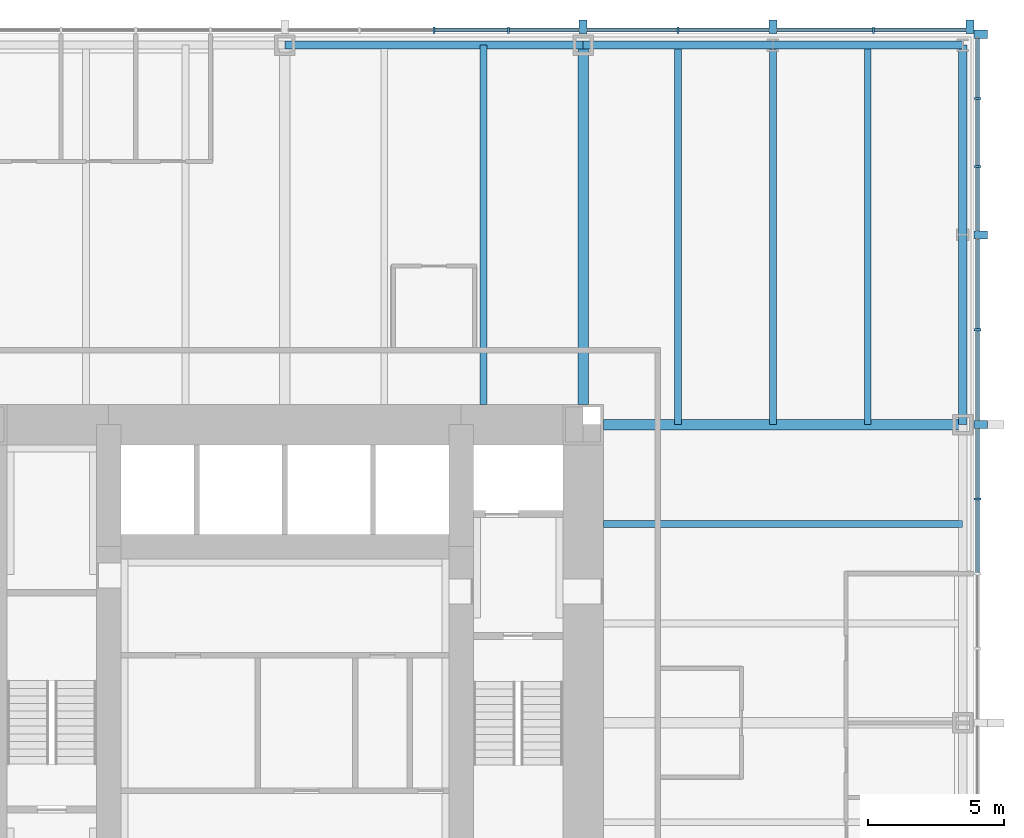
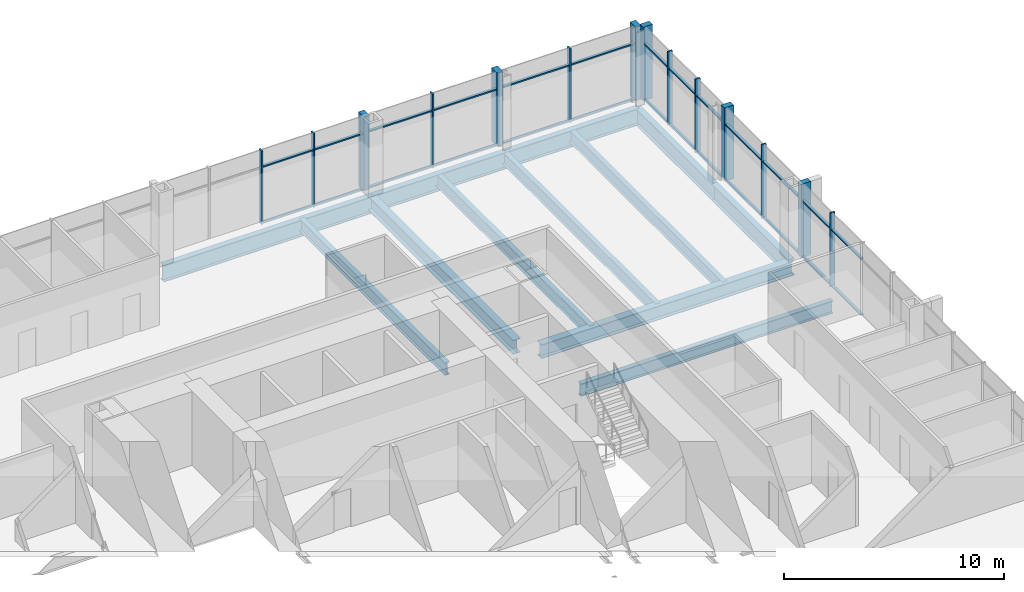
# One storey, part 6 of 12: 40 members, 12 beams, 2 elements without a shape of their own.
"""IFC4 building model written with IfcOpenShell, lengths in metres."""

import ifcopenshell
import ifcopenshell.guid

model = None  # the IFC model being written
_history = None  # IfcOwnerHistory: only IFC2X3 demands one
_inside = {}  # id of a spatial element -> (the spatial element, [elements in it])
_under = {}  # id of a project, library or spatial element -> (it, [spatial elements below it])
_declared = {}  # id of a project -> (the project, [libraries it declares])
_typed = {}  # id of a type object -> (the type object, [elements of that type])
_made_of = {}  # id of a material, layer set ... -> (it, [elements and type objects made of it])


def new_model(schema):
    """Start an empty IFC model of exactly this schema.

    Asked for "IFC4X3", IfcOpenShell would pick the latest addendum, in which some entities
    have other attributes; the version numbers below select the first issue.
    IFC2X3 requires an IfcOwnerHistory on every rooted entity: one is made here for all.
    """
    global model, _history
    if schema == "IFC4X3":
        model = ifcopenshell.file(schema_version=(4, 3, 0, 0))
    else:
        model = ifcopenshell.file(schema=schema)
    _inside.clear()
    _under.clear()
    _declared.clear()
    _typed.clear()
    _made_of.clear()
    _history = None
    if model.schema == "IFC2X3":
        org = make("IfcOrganization", Name="unknown")
        user = make(
            "IfcPersonAndOrganization",
            ThePerson=make("IfcPerson", FamilyName="unknown"),
            TheOrganization=org,
        )
        app = make(
            "IfcApplication",
            ApplicationDeveloper=org,
            Version="unknown",
            ApplicationFullName="unknown",
            ApplicationIdentifier="unknown",
        )
        _history = make(
            "IfcOwnerHistory",
            OwningUser=user,
            OwningApplication=app,
            ChangeAction="ADDED",
            CreationDate=0,
        )
    return model


def make(cls, **values):
    """One entity of the class cls with the attributes given. An attribute that is None is left unset."""
    return model.create_entity(
        cls, **{name: value for name, value in values.items() if value is not None}
    )


def rooted(cls, **values):
    """An entity with a GlobalId (a new one), such as an element, a storey or a relation."""
    return make(cls, GlobalId=ifcopenshell.guid.new(), OwnerHistory=_history, **values)


def si_unit(unit_type, name, prefix=None):
    """IfcSIUnit, for example si_unit("LENGTHUNIT", "METRE", prefix="MILLI")."""
    return make("IfcSIUnit", UnitType=unit_type, Prefix=prefix, Name=name)


def assignment(units):
    """IfcUnitAssignment: the units of a project."""
    return None if units is None else make("IfcUnitAssignment", Units=units)


def point(xyz):
    """IfcCartesianPoint."""
    return None if xyz is None else make("IfcCartesianPoint", Coordinates=xyz)


def direction(xyz):
    """IfcDirection."""
    return None if xyz is None else make("IfcDirection", DirectionRatios=xyz)


def frame(location, z_axis=None, x_axis=None):
    """IfcAxis2Placement3D, a coordinate frame: its origin and axes. An axis left out is left unset."""
    return make(
        "IfcAxis2Placement3D",
        Location=point(location),
        Axis=direction(z_axis),
        RefDirection=direction(x_axis),
    )


def frame_2d(location, x_axis=None):
    """IfcAxis2Placement2D, a coordinate frame in the plane: its origin and x axis."""
    return make(
        "IfcAxis2Placement2D", Location=point(location), RefDirection=direction(x_axis)
    )


def origin():
    """The frame at (0, 0, 0) with its axes left unset."""
    return frame((0.0, 0.0, 0.0))


def origin_2d():
    """The frame at (0, 0) in the plane with its x axis left unset."""
    return frame_2d((0.0, 0.0))


def place(relative_to, where):
    """IfcLocalPlacement: puts the frame where relative to a parent placement (None: the world)."""
    return make(
        "IfcLocalPlacement", PlacementRelTo=relative_to, RelativePlacement=where
    )


def context(
    kind, dimensions, precision=None, world=None, true_north=None, identifier=None
):
    """IfcGeometricRepresentationContext, for example the 3D "Model" context."""
    return make(
        "IfcGeometricRepresentationContext",
        ContextIdentifier=identifier,
        ContextType=kind,
        CoordinateSpaceDimension=dimensions,
        Precision=precision,
        WorldCoordinateSystem=world,
        TrueNorth=true_north,
    )


def subcontext(parent, identifier, kind, view, scale=None):
    """IfcGeometricRepresentationSubContext, for example "Body" below "Model"."""
    return make(
        "IfcGeometricRepresentationSubContext",
        ContextIdentifier=identifier,
        ContextType=kind,
        ParentContext=parent,
        TargetScale=scale,
        TargetView=view,
    )


def project(units=None, contexts=None):
    """IfcProject with its units and contexts."""
    return rooted(
        "IfcProject",
        Name="project",
        RepresentationContexts=contexts,
        UnitsInContext=assignment(units),
    )


def spatial(cls, under=None, at=None, **own):
    """A site, building, storey or space (cls), placed at a placement, below another one or the project."""
    s = rooted(cls, ObjectPlacement=at, **own)
    if under is not None:
        _under.setdefault(under.id(), (under, []))[1].append(s)
    return s


def profile(cls, at=None, kind="AREA", **sizes):
    """A parametric profile (cls). Its sizes go by their IFC names, for example OverallWidth=200.0."""
    return make(cls, ProfileType=kind, Position=at, **sizes)


def rectangle(**sizes):
    """IfcRectangleProfileDef."""
    return profile("IfcRectangleProfileDef", **sizes)


def i_section(**sizes):
    """IfcIShapeProfileDef."""
    return profile("IfcIShapeProfileDef", **sizes)


def extrude(swept, where, along, depth):
    """IfcExtrudedAreaSolid: the profile swept, set in the frame where, extruded along a direction by depth."""
    return make(
        "IfcExtrudedAreaSolid",
        SweptArea=swept,
        Position=where,
        ExtrudedDirection=direction(along),
        Depth=depth,
    )


def shape(context_of_items, identifier, shape_type, items):
    """IfcShapeRepresentation: the items that make up one representation, for example the "Body"."""
    return make(
        "IfcShapeRepresentation",
        ContextOfItems=context_of_items,
        RepresentationIdentifier=identifier,
        RepresentationType=shape_type,
        Items=items,
    )


def material(Name=None, Category=None):
    """IfcMaterial."""
    return make("IfcMaterial", Name=Name, Category=Category)


def material_profile(
    of_material, cross_section, Name=None, Category=None, Priority=None
):
    """IfcMaterialProfile: a cross section and its material."""
    return make(
        "IfcMaterialProfile",
        Name=Name,
        Material=of_material,
        Profile=cross_section,
        Priority=Priority,
        Category=Category,
    )


def profile_set(profiles, Name=None, composite=None):
    """IfcMaterialProfileSet."""
    return make(
        "IfcMaterialProfileSet",
        Name=Name,
        MaterialProfiles=profiles,
        CompositeProfile=composite,
    )


def made_of(thing, what):
    """Note that an element or type object is made of a material, layer set ...; save() writes the relation."""
    if what is not None:
        _made_of.setdefault(what.id(), (what, []))[1].append(thing)
    return thing


def type_object(cls, material=None, **own):
    """A type object (cls), such as IfcWallType, which elements share."""
    return made_of(rooted(cls, **own), material)


def element(
    cls,
    number,
    at=None,
    inside=None,
    cuts=None,
    type_object=None,
    material=None,
    context=None,
    identifier="Body",
    shape_type=None,
    held_by="IfcProductDefinitionShape",
    body=None,
    shapes=None,
    **own,
):
    """One element of the class cls, such as IfcWall. Its Tag is "e" and its number.

    at: its placement. inside: the storey or other place that contains it. cuts: it is an
    opening in that element (IfcRelVoidsElement). A single representation is given by context,
    identifier, shape_type and body (its items); several are given by shapes. held_by: the class
    of the entity that holds the representations. save() writes the other relations.
    """
    e = rooted(cls, Tag="e%d" % number, ObjectPlacement=at, **own)
    if body is not None:
        shapes = [shape(context, identifier, shape_type, body)]
    if shapes is not None:
        e.Representation = make(held_by, Representations=shapes)
    if inside is not None:
        _inside.setdefault(inside.id(), (inside, []))[1].append(e)
    if cuts is not None:
        rooted(
            "IfcRelVoidsElement", RelatingBuildingElement=cuts, RelatedOpeningElement=e
        )
    if type_object is not None:
        _typed.setdefault(type_object.id(), (type_object, []))[1].append(e)
    return made_of(e, material)


def aggregate(whole, parts):
    """IfcRelAggregates: a whole, such as a stair, and the parts it consists of."""
    return rooted("IfcRelAggregates", RelatingObject=whole, RelatedObjects=parts)


def save(model, path):
    """Write the relations noted so far, then the file.

    IfcRelAggregates (storeys below a building ...), IfcRelContainedInSpatialStructure (elements
    in a storey), IfcRelDefinesByType, IfcRelAssociatesMaterial and IfcRelDeclares: one each for
    every whole, place, type object, material and project.
    """
    for whole, parts in _under.values():
        aggregate(whole, parts)
    for where, things in _inside.values():
        rooted(
            "IfcRelContainedInSpatialStructure",
            RelatedElements=things,
            RelatingStructure=where,
        )
    for kind, things in _typed.values():
        rooted("IfcRelDefinesByType", RelatedObjects=things, RelatingType=kind)
    for what, things in _made_of.values():
        rooted("IfcRelAssociatesMaterial", RelatedObjects=things, RelatingMaterial=what)
    for by, libraries in _declared.values():
        rooted("IfcRelDeclares", RelatingContext=by, RelatedDefinitions=libraries)
    model.write(path)


model = new_model("IFC4")

# Units and contexts
model_context = context("Model", 3, precision=1e-05, world=origin(), true_north=direction((0.0, 1.0)))
body_context = subcontext(model_context, "Body", "Model", "MODEL_VIEW")
ifc_project = project(units=[si_unit("LENGTHUNIT", "METRE"), si_unit("AREAUNIT", "SQUARE_METRE"), si_unit("VOLUMEUNIT", "CUBIC_METRE"), si_unit("PLANEANGLEUNIT", "RADIAN"), si_unit("MASSUNIT", "GRAM", prefix="KILO")], contexts=[model_context])

# Site, building, storey
site_placement = place(None, origin())
site = spatial("IfcSite", under=ifc_project, at=site_placement, CompositionType="ELEMENT")
building_placement = place(site_placement, origin())
building = spatial("IfcBuilding", under=site, at=building_placement, Name="Trevanion Tower", CompositionType="ELEMENT")
storey_placement = place(building_placement, frame((0.0, 0.0, 40.60009765625)))
storey = spatial("IfcBuildingStorey", under=building, at=storey_placement, Name="L09", CompositionType="ELEMENT", Elevation=40.60009765625)

# Beams
ifc_material_1 = material(Name="Steel ASTM A992 Grade 50", Category="steel")
ifc_material_profile_1 = material_profile(ifc_material_1, i_section(OverallWidth=0.25390625, OverallDepth=0.700927734375, WebThickness=0.015380859375, FlangeThickness=0.02783203125, at=origin_2d()), Name="W27X129")
ifc_profile_set_1 = profile_set([ifc_material_profile_1], Name="Steel ASTM A992 Grade 50")
beam_type_1 = type_object("IfcBeamType", Name="B3 W27X129", PredefinedType="BEAM", material=ifc_profile_set_1)
for number, where, z_axis, x_axis, name in (
    (1, (11.75, 7.333251953125, -0.54052734375), (1.0, 0.0, 0.0), (0.0, 1.0, 0.0), "B3 L09"),
    (2, (7.333251953125, 11.75, -0.54052734375), (0.0, 1.0, 0.0), (-1.0, 0.0, 0.0), "B3 L09"),
):
    element("IfcBeam", number, at=place(storey_placement, frame(where, z_axis=z_axis, x_axis=x_axis)), inside=storey, type_object=beam_type_1, Name=name, PredefinedType="BEAM", context=body_context, shape_type="SweptSolid", body=[
        extrude(i_section(OverallWidth=0.25390625, OverallDepth=0.700927734375, WebThickness=0.015380859375, FlangeThickness=0.02783203125, at=origin_2d()), origin(), (0.0, 0.0, 1.0), 13.25),
    ])
ifc_material_2 = material(Name="Steel ASTM A992 Grade 50", Category="steel")
ifc_material_profile_2 = material_profile(ifc_material_2, i_section(OverallWidth=0.256591796875, OverallDepth=0.693359375, WebThickness=0.014404296875, FlangeThickness=0.023681640625, at=origin_2d()), Name="W27X114")
ifc_profile_set_2 = profile_set([ifc_material_profile_2], Name="Steel ASTM A992 Grade 50")
beam_type_2 = type_object("IfcBeamType", Name="B4 W27X114", PredefinedType="BEAM", material=ifc_profile_set_2)
for number, where, z_axis, x_axis, name in (
    (3, (14.5, 11.0, -0.536865234375), (0.0, 1.0, 0.0), (-1.0, 0.0, 0.0), "B4 L09"),
    (4, (18.0, 11.0, -0.536865234375), (0.0, 1.0, 0.0), (-1.0, 0.0, 0.0), "B4 L09"),
    (5, (21.5, 11.0, -0.536865234375), (0.0, 1.0, 0.0), (-1.0, 0.0, 0.0), "B4 L09"),
):
    element("IfcBeam", number, at=place(storey_placement, frame(where, z_axis=z_axis, x_axis=x_axis)), inside=storey, type_object=beam_type_2, Name=name, PredefinedType="BEAM", context=body_context, shape_type="SweptSolid", body=[
        extrude(i_section(OverallWidth=0.256591796875, OverallDepth=0.693359375, WebThickness=0.014404296875, FlangeThickness=0.023681640625, at=origin_2d()), origin(), (0.0, 0.0, 1.0), 14.0),
    ])

# Curtain wall, members
ifc_material_3 = material(Name="Aluminium and glass", Category="aluminium")
curtain_wall_type = type_object("IfcCurtainWallType", Name="CW1 curtain wall", PredefinedType="USERDEFINED", material=ifc_material_3)
curtain_wall_1_placement = place(storey_placement, origin())
curtain_wall_1 = element("IfcCurtainWall", 6, at=curtain_wall_1_placement, inside=storey, type_object=curtain_wall_type, Name="CW1 L09 0", ObjectType="UNITISED CURTAIN WALL", PredefinedType="USERDEFINED")
ifc_material_4 = material(Name="Aluminium extrusion, anodised bronze", Category="aluminium")
ifc_material_profile_3 = material_profile(ifc_material_4, rectangle(XDim=0.074951171875, YDim=0.25, at=origin_2d()), Name="CW1 mullion")
ifc_profile_set_3 = profile_set([ifc_material_profile_3], Name="Aluminium extrusion, anodised bronze")
member_type_1 = type_object("IfcMemberType", Name="CW1 mullion", PredefinedType="MULLION", material=ifc_profile_set_3)
member_1_placement = place(storey_placement, frame((25.550048828125, 8.25, -0.190185546875), z_axis=(0.0, 0.0, 1.0), x_axis=(0.0, 1.0, 0.0)))
member_1 = element("IfcMember", 7, at=member_1_placement, type_object=member_type_1, Name="CW1 mullion 12", PredefinedType="MULLION", context=body_context, shape_type="SweptSolid", body=[
    extrude(rectangle(XDim=0.074951171875, YDim=0.25, at=origin_2d()), origin(), (0.0, 0.0, 1.0), 4.10009765625),
])
member_2_placement = place(storey_placement, frame((25.550048828125, 14.5, -0.190185546875), z_axis=(0.0, 0.0, 1.0), x_axis=(0.0, 1.0, 0.0)))
member_2 = element("IfcMember", 8, at=member_2_placement, type_object=member_type_1, Name="CW1 mullion 14", PredefinedType="MULLION", context=body_context, shape_type="SweptSolid", body=[
    extrude(rectangle(XDim=0.074951171875, YDim=0.25, at=origin_2d()), origin(), (0.0, 0.0, 1.0), 4.10009765625),
])
member_3_placement = place(storey_placement, frame((25.550048828125, 20.5166015625, -0.190185546875), z_axis=(0.0, 0.0, 1.0), x_axis=(0.0, 1.0, 0.0)))
member_3 = element("IfcMember", 9, at=member_3_placement, type_object=member_type_1, Name="CW1 mullion 16", PredefinedType="MULLION", context=body_context, shape_type="SweptSolid", body=[
    extrude(rectangle(XDim=0.074951171875, YDim=0.25, at=origin_2d()), origin(), (0.0, 0.0, 1.0), 4.10009765625),
])
member_4_placement = place(storey_placement, frame((25.550048828125, 23.033203125, -0.190185546875), z_axis=(0.0, 0.0, 1.0), x_axis=(0.0, 1.0, 0.0)))
member_4 = element("IfcMember", 10, at=member_4_placement, type_object=member_type_1, Name="CW1 mullion 17", PredefinedType="MULLION", context=body_context, shape_type="SweptSolid", body=[
    extrude(rectangle(XDim=0.074951171875, YDim=0.25, at=origin_2d()), origin(), (0.0, 0.0, 1.0), 4.10009765625),
])

curtain_wall_2_placement = place(storey_placement, origin())
curtain_wall_2 = element("IfcCurtainWall", 11, at=curtain_wall_2_placement, inside=storey, type_object=curtain_wall_type, Name="CW1 L09 1", ObjectType="UNITISED CURTAIN WALL", PredefinedType="USERDEFINED")
member_5_placement = place(storey_placement, frame((21.7099609375, 25.550048828125, -0.190185546875), z_axis=(0.0, 0.0, 1.0), x_axis=(-1.0, 0.0, 0.0)))
member_5 = element("IfcMember", 12, at=member_5_placement, type_object=member_type_1, Name="CW1 mullion 2", PredefinedType="MULLION", context=body_context, shape_type="SweptSolid", body=[
    extrude(rectangle(XDim=0.074951171875, YDim=0.25, at=origin_2d()), origin(), (0.0, 0.0, 1.0), 4.10009765625),
])
member_6_placement = place(storey_placement, frame((14.5, 25.550048828125, -0.190185546875), z_axis=(0.0, 0.0, 1.0), x_axis=(-1.0, 0.0, 0.0)))
member_6 = element("IfcMember", 13, at=member_6_placement, type_object=member_type_1, Name="CW1 mullion 4", PredefinedType="MULLION", context=body_context, shape_type="SweptSolid", body=[
    extrude(rectangle(XDim=0.074951171875, YDim=0.25, at=origin_2d()), origin(), (0.0, 0.0, 1.0), 4.10009765625),
])
member_7_placement = place(storey_placement, frame((8.25, 25.550048828125, -0.190185546875), z_axis=(0.0, 0.0, 1.0), x_axis=(-1.0, 0.0, 0.0)))
member_7 = element("IfcMember", 14, at=member_7_placement, type_object=member_type_1, Name="CW1 mullion 6", PredefinedType="MULLION", context=body_context, shape_type="SweptSolid", body=[
    extrude(rectangle(XDim=0.074951171875, YDim=0.25, at=origin_2d()), origin(), (0.0, 0.0, 1.0), 4.10009765625),
])
member_8_placement = place(storey_placement, frame((5.5, 25.550048828125, -0.190185546875), z_axis=(0.0, 0.0, 1.0), x_axis=(-1.0, 0.0, 0.0)))
member_8 = element("IfcMember", 15, at=member_8_placement, type_object=member_type_1, Name="CW1 mullion 7", PredefinedType="MULLION", context=body_context, shape_type="SweptSolid", body=[
    extrude(rectangle(XDim=0.074951171875, YDim=0.25, at=origin_2d()), origin(), (0.0, 0.0, 1.0), 4.10009765625),
])

# Member
ifc_material_5 = material(Name="Aluminium extrusion, anodised bronze", Category="aluminium")
ifc_material_profile_4 = material_profile(ifc_material_5, rectangle(XDim=0.300048828125, YDim=0.5, at=origin_2d()), Name="CW1 pier mullion")
ifc_profile_set_4 = profile_set([ifc_material_profile_4], Name="Aluminium extrusion, anodised bronze")
member_type_2 = type_object("IfcMemberType", Name="CW1 pier mullion", PredefinedType="MULLION", material=ifc_profile_set_4)
member_9_placement = place(storey_placement, frame((25.675048828125, 11.0, -0.190185546875), z_axis=(0.0, 0.0, 1.0), x_axis=(0.0, 1.0, 0.0)))
member_9 = element("IfcMember", 16, at=member_9_placement, type_object=member_type_2, Name="CW1 pier mullion 13", PredefinedType="MULLION", context=body_context, shape_type="SweptSolid", body=[
    extrude(rectangle(XDim=0.300048828125, YDim=0.5, at=origin_2d()), origin(), (0.0, 0.0, 1.0), 4.10009765625),
])

member_10_placement = place(storey_placement, frame((25.675048828125, 18.0, -0.190185546875), z_axis=(0.0, 0.0, 1.0), x_axis=(0.0, 1.0, 0.0)))
member_10 = element("IfcMember", 17, at=member_10_placement, type_object=member_type_2, Name="CW1 pier mullion 15", PredefinedType="MULLION", context=body_context, shape_type="SweptSolid", body=[
    extrude(rectangle(XDim=0.300048828125, YDim=0.5, at=origin_2d()), origin(), (0.0, 0.0, 1.0), 4.10009765625),
])

member_11_placement = place(storey_placement, frame((25.675048828125, 25.39990234375, -0.190185546875), z_axis=(0.0, 0.0, 1.0), x_axis=(0.0, 1.0, 0.0)))
member_11 = element("IfcMember", 18, at=member_11_placement, type_object=member_type_2, Name="CW1 pier mullion 18", PredefinedType="MULLION", context=body_context, shape_type="SweptSolid", body=[
    extrude(rectangle(XDim=0.300048828125, YDim=0.5, at=origin_2d()), origin(), (0.0, 0.0, 1.0), 4.10009765625),
])

member_12_placement = place(storey_placement, frame((25.27001953125, 25.675048828125, -0.190185546875), z_axis=(0.0, 0.0, 1.0), x_axis=(-1.0, 0.0, 0.0)))
member_12 = element("IfcMember", 19, at=member_12_placement, type_object=member_type_2, Name="CW1 pier mullion 1", PredefinedType="MULLION", context=body_context, shape_type="SweptSolid", body=[
    extrude(rectangle(XDim=0.300048828125, YDim=0.5, at=origin_2d()), origin(), (0.0, 0.0, 1.0), 4.10009765625),
])

member_13_placement = place(storey_placement, frame((18.0, 25.675048828125, -0.190185546875), z_axis=(0.0, 0.0, 1.0), x_axis=(-1.0, 0.0, 0.0)))
member_13 = element("IfcMember", 20, at=member_13_placement, type_object=member_type_2, Name="CW1 pier mullion 3", PredefinedType="MULLION", context=body_context, shape_type="SweptSolid", body=[
    extrude(rectangle(XDim=0.300048828125, YDim=0.5, at=origin_2d()), origin(), (0.0, 0.0, 1.0), 4.10009765625),
])

member_14_placement = place(storey_placement, frame((11.0, 25.675048828125, -0.190185546875), z_axis=(0.0, 0.0, 1.0), x_axis=(-1.0, 0.0, 0.0)))
member_14 = element("IfcMember", 21, at=member_14_placement, type_object=member_type_2, Name="CW1 pier mullion 5", PredefinedType="MULLION", context=body_context, shape_type="SweptSolid", body=[
    extrude(rectangle(XDim=0.300048828125, YDim=0.5, at=origin_2d()), origin(), (0.0, 0.0, 1.0), 4.10009765625),
])

ifc_material_6 = material(Name="Aluminium extrusion, anodised bronze", Category="aluminium")
ifc_material_profile_5 = material_profile(ifc_material_6, rectangle(XDim=0.14990234375, YDim=0.074951171875, at=origin_2d()), Name="CW1 transom")
ifc_profile_set_5 = profile_set([ifc_material_profile_5], Name="Aluminium extrusion, anodised bronze")
member_type_3 = type_object("IfcMemberType", Name="CW1 transom", PredefinedType="USERDEFINED", material=ifc_profile_set_5)
member_15_placement = place(storey_placement, frame((25.550048828125, 5.53759765625, -0.152587890625), z_axis=(0.0, 1.0, 0.0), x_axis=(-1.0, 0.0, 0.0)))
member_15 = element("IfcMember", 22, at=member_15_placement, type_object=member_type_3, Name="CW1 transom 11.1", ObjectType="TRANSOM", PredefinedType="USERDEFINED", context=body_context, shape_type="SweptSolid", body=[
    extrude(rectangle(XDim=0.14990234375, YDim=0.074951171875, at=origin_2d()), origin(), (0.0, 0.0, 1.0), 2.6748046875),
])

member_16_placement = place(storey_placement, frame((25.550048828125, 5.53759765625, 2.9599609375), z_axis=(0.0, 1.0, 0.0), x_axis=(-1.0, 0.0, 0.0)))
member_16 = element("IfcMember", 23, at=member_16_placement, type_object=member_type_3, Name="CW1 transom 11.2", ObjectType="TRANSOM", PredefinedType="USERDEFINED", context=body_context, shape_type="SweptSolid", body=[
    extrude(rectangle(XDim=0.14990234375, YDim=0.074951171875, at=origin_2d()), origin(), (0.0, 0.0, 1.0), 2.6748046875),
])

member_17_placement = place(storey_placement, frame((25.550048828125, 8.28759765625, -0.152587890625), z_axis=(0.0, 1.0, 0.0), x_axis=(-1.0, 0.0, 0.0)))
member_17 = element("IfcMember", 24, at=member_17_placement, type_object=member_type_3, Name="CW1 transom 12.1", ObjectType="TRANSOM", PredefinedType="USERDEFINED", context=body_context, shape_type="SweptSolid", body=[
    extrude(rectangle(XDim=0.14990234375, YDim=0.074951171875, at=origin_2d()), origin(), (0.0, 0.0, 1.0), 2.5625),
])

member_18_placement = place(storey_placement, frame((25.550048828125, 8.28759765625, 2.9599609375), z_axis=(0.0, 1.0, 0.0), x_axis=(-1.0, 0.0, 0.0)))
member_18 = element("IfcMember", 25, at=member_18_placement, type_object=member_type_3, Name="CW1 transom 12.2", ObjectType="TRANSOM", PredefinedType="USERDEFINED", context=body_context, shape_type="SweptSolid", body=[
    extrude(rectangle(XDim=0.14990234375, YDim=0.074951171875, at=origin_2d()), origin(), (0.0, 0.0, 1.0), 2.5625),
])

member_19_placement = place(storey_placement, frame((25.550048828125, 11.14990234375, -0.152587890625), z_axis=(0.0, 1.0, 0.0), x_axis=(-1.0, 0.0, 0.0)))
member_19 = element("IfcMember", 26, at=member_19_placement, type_object=member_type_3, Name="CW1 transom 13.1", ObjectType="TRANSOM", PredefinedType="USERDEFINED", context=body_context, shape_type="SweptSolid", body=[
    extrude(rectangle(XDim=0.14990234375, YDim=0.074951171875, at=origin_2d()), origin(), (0.0, 0.0, 1.0), 3.3125),
])

member_20_placement = place(storey_placement, frame((25.550048828125, 11.14990234375, 2.9599609375), z_axis=(0.0, 1.0, 0.0), x_axis=(-1.0, 0.0, 0.0)))
member_20 = element("IfcMember", 27, at=member_20_placement, type_object=member_type_3, Name="CW1 transom 13.2", ObjectType="TRANSOM", PredefinedType="USERDEFINED", context=body_context, shape_type="SweptSolid", body=[
    extrude(rectangle(XDim=0.14990234375, YDim=0.074951171875, at=origin_2d()), origin(), (0.0, 0.0, 1.0), 3.3125),
])

member_21_placement = place(storey_placement, frame((25.550048828125, 14.53759765625, -0.152587890625), z_axis=(0.0, 1.0, 0.0), x_axis=(-1.0, 0.0, 0.0)))
member_21 = element("IfcMember", 28, at=member_21_placement, type_object=member_type_3, Name="CW1 transom 14.1", ObjectType="TRANSOM", PredefinedType="USERDEFINED", context=body_context, shape_type="SweptSolid", body=[
    extrude(rectangle(XDim=0.14990234375, YDim=0.074951171875, at=origin_2d()), origin(), (0.0, 0.0, 1.0), 3.3125),
])

member_22_placement = place(storey_placement, frame((25.550048828125, 14.53759765625, 2.9599609375), z_axis=(0.0, 1.0, 0.0), x_axis=(-1.0, 0.0, 0.0)))
member_22 = element("IfcMember", 29, at=member_22_placement, type_object=member_type_3, Name="CW1 transom 14.2", ObjectType="TRANSOM", PredefinedType="USERDEFINED", context=body_context, shape_type="SweptSolid", body=[
    extrude(rectangle(XDim=0.14990234375, YDim=0.074951171875, at=origin_2d()), origin(), (0.0, 0.0, 1.0), 3.3125),
])

member_23_placement = place(storey_placement, frame((25.550048828125, 18.14990234375, -0.152587890625), z_axis=(0.0, 1.0, 0.0), x_axis=(-1.0, 0.0, 0.0)))
member_23 = element("IfcMember", 30, at=member_23_placement, type_object=member_type_3, Name="CW1 transom 15.1", ObjectType="TRANSOM", PredefinedType="USERDEFINED", context=body_context, shape_type="SweptSolid", body=[
    extrude(rectangle(XDim=0.14990234375, YDim=0.074951171875, at=origin_2d()), origin(), (0.0, 0.0, 1.0), 2.329345703125),
])

member_24_placement = place(storey_placement, frame((25.550048828125, 18.14990234375, 2.9599609375), z_axis=(0.0, 1.0, 0.0), x_axis=(-1.0, 0.0, 0.0)))
member_24 = element("IfcMember", 31, at=member_24_placement, type_object=member_type_3, Name="CW1 transom 15.2", ObjectType="TRANSOM", PredefinedType="USERDEFINED", context=body_context, shape_type="SweptSolid", body=[
    extrude(rectangle(XDim=0.14990234375, YDim=0.074951171875, at=origin_2d()), origin(), (0.0, 0.0, 1.0), 2.329345703125),
])

member_25_placement = place(storey_placement, frame((25.550048828125, 20.55419921875, -0.152587890625), z_axis=(0.0, 1.0, 0.0), x_axis=(-1.0, 0.0, 0.0)))
member_25 = element("IfcMember", 32, at=member_25_placement, type_object=member_type_3, Name="CW1 transom 16.1", ObjectType="TRANSOM", PredefinedType="USERDEFINED", context=body_context, shape_type="SweptSolid", body=[
    extrude(rectangle(XDim=0.14990234375, YDim=0.074951171875, at=origin_2d()), origin(), (0.0, 0.0, 1.0), 2.441650390625),
])

member_26_placement = place(storey_placement, frame((25.550048828125, 20.55419921875, 2.9599609375), z_axis=(0.0, 1.0, 0.0), x_axis=(-1.0, 0.0, 0.0)))
member_26 = element("IfcMember", 33, at=member_26_placement, type_object=member_type_3, Name="CW1 transom 16.2", ObjectType="TRANSOM", PredefinedType="USERDEFINED", context=body_context, shape_type="SweptSolid", body=[
    extrude(rectangle(XDim=0.14990234375, YDim=0.074951171875, at=origin_2d()), origin(), (0.0, 0.0, 1.0), 2.441650390625),
])

member_27_placement = place(storey_placement, frame((25.550048828125, 23.07080078125, -0.152587890625), z_axis=(0.0, 1.0, 0.0), x_axis=(-1.0, 0.0, 0.0)))
member_27 = element("IfcMember", 34, at=member_27_placement, type_object=member_type_3, Name="CW1 transom 17.1", ObjectType="TRANSOM", PredefinedType="USERDEFINED", context=body_context, shape_type="SweptSolid", body=[
    extrude(rectangle(XDim=0.14990234375, YDim=0.074951171875, at=origin_2d()), origin(), (0.0, 0.0, 1.0), 2.17919921875),
])

member_28_placement = place(storey_placement, frame((25.550048828125, 23.07080078125, 2.9599609375), z_axis=(0.0, 1.0, 0.0), x_axis=(-1.0, 0.0, 0.0)))
member_28 = element("IfcMember", 35, at=member_28_placement, type_object=member_type_3, Name="CW1 transom 17.2", ObjectType="TRANSOM", PredefinedType="USERDEFINED", context=body_context, shape_type="SweptSolid", body=[
    extrude(rectangle(XDim=0.14990234375, YDim=0.074951171875, at=origin_2d()), origin(), (0.0, 0.0, 1.0), 2.17919921875),
])

aggregate(curtain_wall_1, [member_1, member_9, member_2, member_10, member_3, member_4, member_11, member_15, member_16, member_17, member_18, member_19, member_20, member_21, member_22, member_23, member_24, member_25, member_26, member_27, member_28])

member_29_placement = place(storey_placement, frame((25.1201171875, 25.550048828125, -0.152587890625), z_axis=(-1.0, 0.0, 0.0), x_axis=(0.0, -1.0, 0.0)))
member_29 = element("IfcMember", 36, at=member_29_placement, type_object=member_type_3, Name="CW1 transom 1.1", ObjectType="TRANSOM", PredefinedType="USERDEFINED", context=body_context, shape_type="SweptSolid", body=[
    extrude(rectangle(XDim=0.14990234375, YDim=0.074951171875, at=origin_2d()), origin(), (0.0, 0.0, 1.0), 3.37255859375),
])

member_30_placement = place(storey_placement, frame((25.1201171875, 25.550048828125, 2.9599609375), z_axis=(-1.0, 0.0, 0.0), x_axis=(0.0, -1.0, 0.0)))
member_30 = element("IfcMember", 37, at=member_30_placement, type_object=member_type_3, Name="CW1 transom 1.2", ObjectType="TRANSOM", PredefinedType="USERDEFINED", context=body_context, shape_type="SweptSolid", body=[
    extrude(rectangle(XDim=0.14990234375, YDim=0.074951171875, at=origin_2d()), origin(), (0.0, 0.0, 1.0), 3.37255859375),
])

member_31_placement = place(storey_placement, frame((21.672607421875, 25.550048828125, -0.152587890625), z_axis=(-1.0, 0.0, 0.0), x_axis=(0.0, -1.0, 0.0)))
member_31 = element("IfcMember", 38, at=member_31_placement, type_object=member_type_3, Name="CW1 transom 2.1", ObjectType="TRANSOM", PredefinedType="USERDEFINED", context=body_context, shape_type="SweptSolid", body=[
    extrude(rectangle(XDim=0.14990234375, YDim=0.074951171875, at=origin_2d()), origin(), (0.0, 0.0, 1.0), 3.522705078125),
])

member_32_placement = place(storey_placement, frame((21.672607421875, 25.550048828125, 2.9599609375), z_axis=(-1.0, 0.0, 0.0), x_axis=(0.0, -1.0, 0.0)))
member_32 = element("IfcMember", 39, at=member_32_placement, type_object=member_type_3, Name="CW1 transom 2.2", ObjectType="TRANSOM", PredefinedType="USERDEFINED", context=body_context, shape_type="SweptSolid", body=[
    extrude(rectangle(XDim=0.14990234375, YDim=0.074951171875, at=origin_2d()), origin(), (0.0, 0.0, 1.0), 3.522705078125),
])

member_33_placement = place(storey_placement, frame((17.85009765625, 25.550048828125, -0.152587890625), z_axis=(-1.0, 0.0, 0.0), x_axis=(0.0, -1.0, 0.0)))
member_33 = element("IfcMember", 40, at=member_33_placement, type_object=member_type_3, Name="CW1 transom 3.1", ObjectType="TRANSOM", PredefinedType="USERDEFINED", context=body_context, shape_type="SweptSolid", body=[
    extrude(rectangle(XDim=0.14990234375, YDim=0.074951171875, at=origin_2d()), origin(), (0.0, 0.0, 1.0), 3.3125),
])

member_34_placement = place(storey_placement, frame((17.85009765625, 25.550048828125, 2.9599609375), z_axis=(-1.0, 0.0, 0.0), x_axis=(0.0, -1.0, 0.0)))
member_34 = element("IfcMember", 41, at=member_34_placement, type_object=member_type_3, Name="CW1 transom 3.2", ObjectType="TRANSOM", PredefinedType="USERDEFINED", context=body_context, shape_type="SweptSolid", body=[
    extrude(rectangle(XDim=0.14990234375, YDim=0.074951171875, at=origin_2d()), origin(), (0.0, 0.0, 1.0), 3.3125),
])

member_35_placement = place(storey_placement, frame((14.46240234375, 25.550048828125, -0.152587890625), z_axis=(-1.0, 0.0, 0.0), x_axis=(0.0, -1.0, 0.0)))
member_35 = element("IfcMember", 42, at=member_35_placement, type_object=member_type_3, Name="CW1 transom 4.1", ObjectType="TRANSOM", PredefinedType="USERDEFINED", context=body_context, shape_type="SweptSolid", body=[
    extrude(rectangle(XDim=0.14990234375, YDim=0.074951171875, at=origin_2d()), origin(), (0.0, 0.0, 1.0), 3.3125),
])

member_36_placement = place(storey_placement, frame((14.46240234375, 25.550048828125, 2.9599609375), z_axis=(-1.0, 0.0, 0.0), x_axis=(0.0, -1.0, 0.0)))
member_36 = element("IfcMember", 43, at=member_36_placement, type_object=member_type_3, Name="CW1 transom 4.2", ObjectType="TRANSOM", PredefinedType="USERDEFINED", context=body_context, shape_type="SweptSolid", body=[
    extrude(rectangle(XDim=0.14990234375, YDim=0.074951171875, at=origin_2d()), origin(), (0.0, 0.0, 1.0), 3.3125),
])

member_37_placement = place(storey_placement, frame((10.85009765625, 25.550048828125, -0.152587890625), z_axis=(-1.0, 0.0, 0.0), x_axis=(0.0, -1.0, 0.0)))
member_37 = element("IfcMember", 44, at=member_37_placement, type_object=member_type_3, Name="CW1 transom 5.1", ObjectType="TRANSOM", PredefinedType="USERDEFINED", context=body_context, shape_type="SweptSolid", body=[
    extrude(rectangle(XDim=0.14990234375, YDim=0.074951171875, at=origin_2d()), origin(), (0.0, 0.0, 1.0), 2.5625),
])

member_38_placement = place(storey_placement, frame((10.85009765625, 25.550048828125, 2.9599609375), z_axis=(-1.0, 0.0, 0.0), x_axis=(0.0, -1.0, 0.0)))
member_38 = element("IfcMember", 45, at=member_38_placement, type_object=member_type_3, Name="CW1 transom 5.2", ObjectType="TRANSOM", PredefinedType="USERDEFINED", context=body_context, shape_type="SweptSolid", body=[
    extrude(rectangle(XDim=0.14990234375, YDim=0.074951171875, at=origin_2d()), origin(), (0.0, 0.0, 1.0), 2.5625),
])

member_39_placement = place(storey_placement, frame((8.21240234375, 25.550048828125, -0.152587890625), z_axis=(-1.0, 0.0, 0.0), x_axis=(0.0, -1.0, 0.0)))
member_39 = element("IfcMember", 46, at=member_39_placement, type_object=member_type_3, Name="CW1 transom 6.1", ObjectType="TRANSOM", PredefinedType="USERDEFINED", context=body_context, shape_type="SweptSolid", body=[
    extrude(rectangle(XDim=0.14990234375, YDim=0.074951171875, at=origin_2d()), origin(), (0.0, 0.0, 1.0), 2.6748046875),
])

member_40_placement = place(storey_placement, frame((8.21240234375, 25.550048828125, 2.9599609375), z_axis=(-1.0, 0.0, 0.0), x_axis=(0.0, -1.0, 0.0)))
member_40 = element("IfcMember", 47, at=member_40_placement, type_object=member_type_3, Name="CW1 transom 6.2", ObjectType="TRANSOM", PredefinedType="USERDEFINED", context=body_context, shape_type="SweptSolid", body=[
    extrude(rectangle(XDim=0.14990234375, YDim=0.074951171875, at=origin_2d()), origin(), (0.0, 0.0, 1.0), 2.6748046875),
])

aggregate(curtain_wall_2, [member_12, member_5, member_13, member_6, member_14, member_7, member_8, member_29, member_30, member_31, member_32, member_33, member_34, member_35, member_36, member_37, member_38, member_39, member_40])

# Beams
ifc_material_7 = material(Name="Steel ASTM A992 Grade 50", Category="steel")
ifc_material_profile_6 = material_profile(ifc_material_7, i_section(OverallWidth=0.381103515625, OverallDepth=0.77978515625, WebThickness=0.01806640625, FlangeThickness=0.0302734375, at=origin_2d()), Name="W30X191")
ifc_profile_set_6 = profile_set([ifc_material_profile_6], Name="Steel ASTM A992 Grade 50")
beam_type_3 = type_object("IfcBeamType", Name="G2 W30X191", PredefinedType="BEAM", material=ifc_profile_set_6)
for number, where, z_axis, x_axis, name in (
    (48, (11.75, 11.0, -0.580078125), (1.0, 0.0, 0.0), (0.0, 1.0, 0.0), "G2 L09"),
    (49, (11.0, 11.75, -0.580078125), (0.0, 1.0, 0.0), (-1.0, 0.0, 0.0), "G2 L09"),
):
    element("IfcBeam", number, at=place(storey_placement, frame(where, z_axis=z_axis, x_axis=x_axis)), inside=storey, type_object=beam_type_3, Name=name, PredefinedType="BEAM", context=body_context, shape_type="SweptSolid", body=[
        extrude(i_section(OverallWidth=0.381103515625, OverallDepth=0.77978515625, WebThickness=0.01806640625, FlangeThickness=0.0302734375, at=origin_2d()), origin(), (0.0, 0.0, 1.0), 13.25),
    ])
ifc_material_8 = material(Name="Steel ASTM A992 Grade 50", Category="steel")
ifc_material_profile_7 = material_profile(ifc_material_8, i_section(OverallWidth=0.307373046875, OverallDepth=0.927001953125, WebThickness=0.01953125, FlangeThickness=0.031982421875, at=origin_2d()), Name="W36X194")
ifc_profile_set_7 = profile_set([ifc_material_profile_7], Name="Steel ASTM A992 Grade 50")
beam_type_4 = type_object("IfcBeamType", Name="SB2 W36X194", PredefinedType="SPANDREL", material=ifc_profile_set_7)
for number, where, z_axis, x_axis, name in (
    (50, (25.0, 11.0, -0.653564453125), (0.0, 1.0, 0.0), (-1.0, 0.0, 0.0), "SB2 L09"),
    (51, (25.0, 18.0, -0.653564453125), (0.0, 1.0, 0.0), (-1.0, 0.0, 0.0), "SB2 L09"),
    (52, (25.0, 25.0, -0.653564453125), (-1.0, 0.0, 0.0), (0.0, -1.0, 0.0), "SB2 L09"),
    (53, (18.0, 25.0, -0.653564453125), (-1.0, 0.0, 0.0), (0.0, -1.0, 0.0), "SB2 L09"),
):
    element("IfcBeam", number, at=place(storey_placement, frame(where, z_axis=z_axis, x_axis=x_axis)), inside=storey, type_object=beam_type_4, Name=name, PredefinedType="SPANDREL", context=body_context, shape_type="SweptSolid", body=[
        extrude(i_section(OverallWidth=0.307373046875, OverallDepth=0.927001953125, WebThickness=0.01953125, FlangeThickness=0.031982421875, at=origin_2d()), origin(), (0.0, 0.0, 1.0), 7.0),
    ])
beam_placement = place(storey_placement, frame((11.0, 25.0, -0.653564453125), z_axis=(-1.0, 0.0, 0.0), x_axis=(0.0, -1.0, 0.0)))
element("IfcBeam", 54, at=beam_placement, inside=storey, type_object=beam_type_4, Name="SB2 L09", PredefinedType="SPANDREL", context=body_context, shape_type="SweptSolid", body=[
    extrude(i_section(OverallWidth=0.307373046875, OverallDepth=0.927001953125, WebThickness=0.01953125, FlangeThickness=0.031982421875, at=origin_2d()), origin(), (0.0, 0.0, 1.0), 11.0),
])

save(model, "model.ifc")
